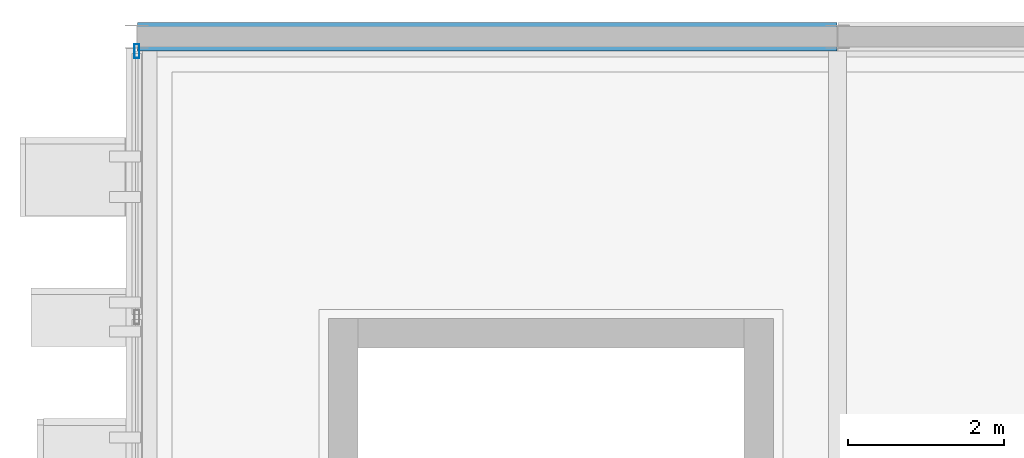
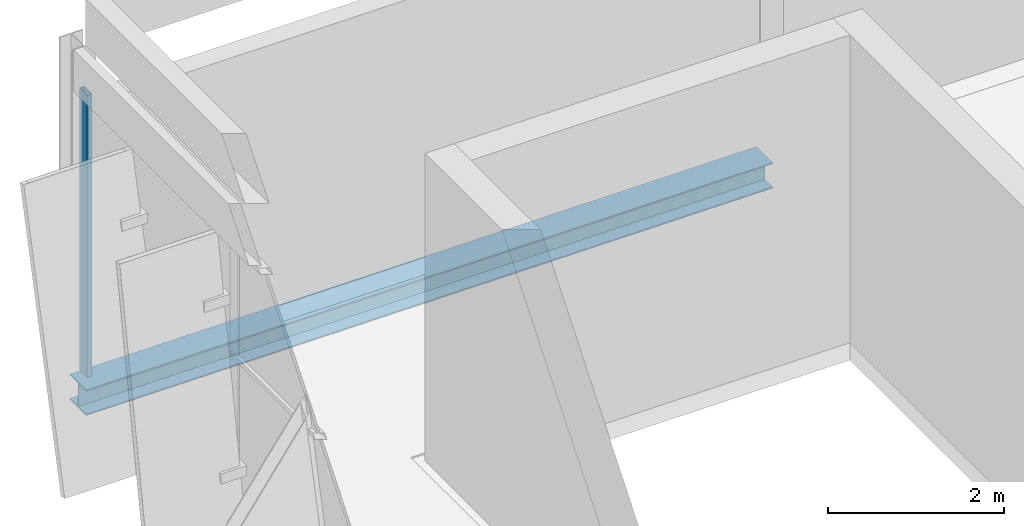
# One storey, part 28 of 52: 1 beam, 1 member, 1 element without a shape of its own.
"""IFC4 building model written with IfcOpenShell, lengths in metres."""

from ifc_helpers import new_model, si_unit, direction, frame, origin, origin_2d, place, context, subcontext, project, spatial, hollow_rectangle, i_section, extrude, material, layer, layer_set, material_profile, profile_set, type_object, element, aggregate, save


model = new_model("IFC4")

# Units and contexts
model_context = context("Model", 3, precision=1e-05, world=origin(), true_north=direction((0.0, 1.0)))
body_context = subcontext(model_context, "Body", "Model", "MODEL_VIEW")
ifc_project = project(units=[si_unit("LENGTHUNIT", "METRE"), si_unit("AREAUNIT", "SQUARE_METRE"), si_unit("VOLUMEUNIT", "CUBIC_METRE"), si_unit("PLANEANGLEUNIT", "RADIAN"), si_unit("MASSUNIT", "GRAM", prefix="KILO")], contexts=[model_context])

# Site, building, storey
site_placement = place(None, origin())
site = spatial("IfcSite", under=ifc_project, at=site_placement, CompositionType="ELEMENT")
building_placement = place(site_placement, origin())
building = spatial("IfcBuilding", under=site, at=building_placement, Name="Celestram Park Convention Centre", CompositionType="ELEMENT")
storey_placement = place(building_placement, frame((0.0, 0.0, 24.300048828125)))
storey = spatial("IfcBuildingStorey", under=building, at=storey_placement, Name="L05", CompositionType="ELEMENT", Elevation=24.300048828125)

# Curtain wall, member
ifc_material_1 = material(Name="Anodised Aluminium Alloy 6063-T6", Category="aluminium")
ifc_layer = layer(ifc_material_1, 0.179931640625)
ifc_layer_set = layer_set([ifc_layer], Name="Anodised Aluminium Alloy 6063-T6")
curtain_wall_type = type_object("IfcCurtainWallType", Name="ARC-CW-690X390", PredefinedType="NOTDEFINED", material=ifc_layer_set)
curtain_wall_placement = place(storey_placement, origin())
curtain_wall = element("IfcCurtainWall", 1, at=curtain_wall_placement, inside=storey, type_object=curtain_wall_type, Name="Unitised curtain wall CU-L05-250", PredefinedType="NOTDEFINED")
ifc_material_profile_1 = material_profile(ifc_material_1, hollow_rectangle(XDim=0.06494140625, YDim=0.179931640625, WallThickness=0.00390625, at=origin_2d()), Name="ALU65X180X4")
ifc_profile_set_1 = profile_set([ifc_material_profile_1], Name="Anodised Aluminium Alloy 6063-T6")
member_type = type_object("IfcMemberType", Name="ARC-CWM-150", PredefinedType="MULLION", material=ifc_profile_set_1)
member_placement = place(storey_placement, frame((36.0, 165.416015625, 0.0), z_axis=(0.0, 0.0, 1.0), x_axis=(-1.0, 0.0, 0.0)))
member = element("IfcMember", 2, at=member_placement, type_object=member_type, Name="CW-69X39 mullion 3", PredefinedType="MULLION", context=body_context, shape_type="SweptSolid", body=[
    extrude(hollow_rectangle(XDim=0.06494140625, YDim=0.179931640625, WallThickness=0.00390625, at=origin_2d()), origin(), (0.0, 0.0, 1.0), 3.904052734375),
])
aggregate(curtain_wall, [member])

# Beam
ifc_material_2 = material(Name="Steel ASTM A992 Grade 50", Category="steel")
ifc_material_profile_2 = material_profile(ifc_material_2, i_section(OverallWidth=0.367919921875, OverallDepth=0.35595703125, WebThickness=0.01123046875, FlangeThickness=0.01806640625, at=origin_2d()), Name="W14X90")
ifc_profile_set_2 = profile_set([ifc_material_profile_2], Name="Steel ASTM A992 Grade 50")
beam_type = type_object("IfcBeamType", Name="STR-SPN-W14X90", PredefinedType="SPANDREL", material=ifc_profile_set_2)
beam_placement = place(storey_placement, frame((36.006103515625, 165.60009765625, -0.41796875), z_axis=(1.0, 0.0, 0.0), x_axis=(0.0, 1.0, 0.0)))
element("IfcBeam", 3, at=beam_placement, inside=storey, type_object=beam_type, Name="Primary X-girder BG-L05-0014", PredefinedType="SPANDREL", context=body_context, shape_type="SweptSolid", body=[
    extrude(i_section(OverallWidth=0.367919921875, OverallDepth=0.35595703125, WebThickness=0.01123046875, FlangeThickness=0.01806640625, at=origin_2d()), origin(), (0.0, 0.0, 1.0), 8.98779296875),
])

save(model, "model.ifc")
